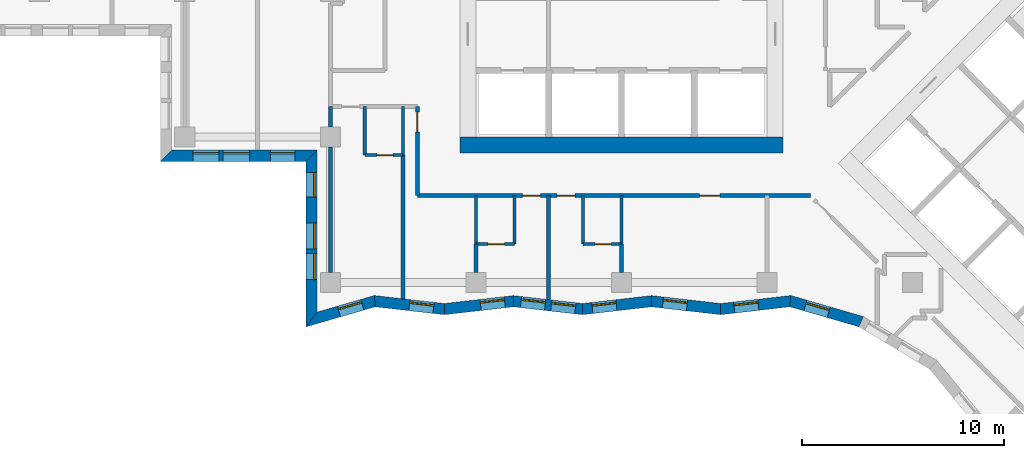
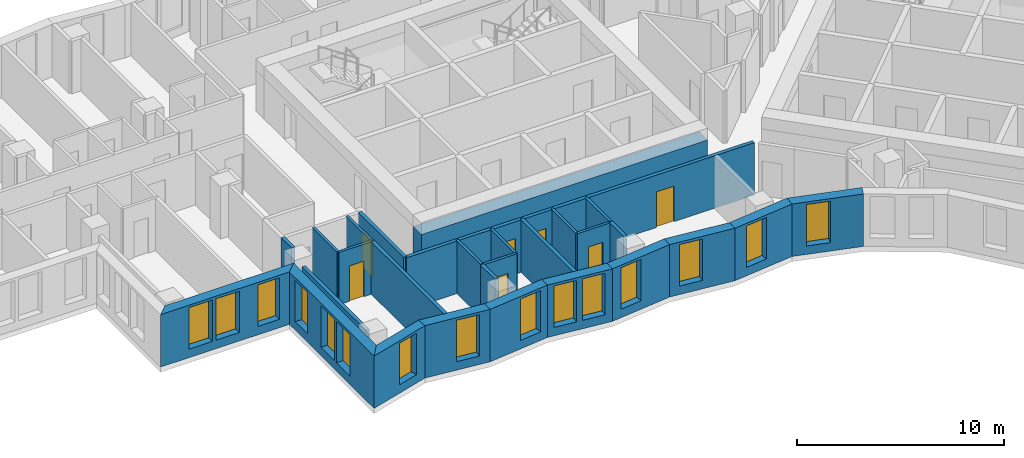
# One storey, part 2 of 13: 28 walls, 15 windows, 7 doors, 22 openings.
"""IFC4 building model written with IfcOpenShell, lengths in metres."""

from ifc_helpers import new_model, si_unit, direction, frame, frame_2d, origin, place, context, subcontext, project, spatial, polyline, rectangle, outline, extrude, material, layer, layer_set, type_object, element, fill, save


model = new_model("IFC4")

# Units and contexts
model_context = context("Model", 3, precision=1e-05, world=origin(), true_north=direction((0.0, 1.0)))
body_context = subcontext(model_context, "Body", "Model", "MODEL_VIEW")
ifc_project = project(units=[si_unit("LENGTHUNIT", "METRE"), si_unit("AREAUNIT", "SQUARE_METRE"), si_unit("VOLUMEUNIT", "CUBIC_METRE"), si_unit("PLANEANGLEUNIT", "RADIAN"), si_unit("MASSUNIT", "GRAM", prefix="KILO")], contexts=[model_context])

# Site, building, storey
site_placement = place(None, origin())
site = spatial("IfcSite", under=ifc_project, at=site_placement, CompositionType="ELEMENT")
building_placement = place(site_placement, origin())
building = spatial("IfcBuilding", under=site, at=building_placement, Name="Windrow Commons", CompositionType="ELEMENT")
storey_placement = place(building_placement, frame((0.0, 0.0, 91.4)))
storey = spatial("IfcBuildingStorey", under=building, at=storey_placement, Name="L24", CompositionType="ELEMENT", Elevation=91.4)

# Wall, openings, windows
ifc_material_1 = material(Name="Brick masonry, red clay brick", Category="masonry")
ifc_layer_1 = layer(ifc_material_1, 0.55)
ifc_layer_set_1 = layer_set([ifc_layer_1], Name="Brick facade wall 550")
wall_type_1 = type_object("IfcWallType", Name="Brick facade wall 550", PredefinedType="SOLIDWALL", material=ifc_layer_set_1)
wall_1_placement = place(storey_placement, frame((42.275, 49.475, 0.0), z_axis=(0.0, 0.0, 1.0), x_axis=(1.0, 0.0, 0.0)))
wall_1 = element("IfcWall", 1, at=wall_1_placement, inside=storey, type_object=wall_type_1, Name="Brick facade wall L24 42", PredefinedType="SOLIDWALL", context=body_context, shape_type="SweptSolid", body=[
    extrude(outline(polyline([(-0.275, -0.275), (6.925, -0.275), (7.475, 0.275), (0.275, 0.275), (-0.275, -0.275)])), origin(), (0.0, 0.0, 1.0), 3.1),
])
opening_1_placement = place(wall_1_placement, frame((1.325, 0.0, 0.5)))
opening_1 = element("IfcOpeningElement", 2, at=opening_1_placement, cuts=wall_1, Name="Opening W1P", PredefinedType="OPENING", context=body_context, shape_type="SweptSolid", body=[
    extrude(rectangle(XDim=1.3, YDim=2.45, at=frame_2d((0.65, 1.225))), frame((0.0, 0.285, 0.0), z_axis=(0.0, -1.0, 0.0), x_axis=(1.0, 0.0, 0.0)), (0.0, 0.0, 1.0), 0.57),
])
opening_2_placement = place(wall_1_placement, frame((2.825, 0.0, 0.5)))
opening_2 = element("IfcOpeningElement", 3, at=opening_2_placement, cuts=wall_1, Name="Opening W1P", PredefinedType="OPENING", context=body_context, shape_type="SweptSolid", body=[
    extrude(rectangle(XDim=1.3, YDim=2.45, at=frame_2d((0.65, 1.225))), frame((0.0, 0.285, 0.0), z_axis=(0.0, -1.0, 0.0), x_axis=(1.0, 0.0, 0.0)), (0.0, 0.0, 1.0), 0.57),
])
opening_3_placement = place(wall_1_placement, frame((5.1625, 0.0, 0.5)))
opening_3 = element("IfcOpeningElement", 4, at=opening_3_placement, cuts=wall_1, Name="Opening W7D", PredefinedType="OPENING", context=body_context, shape_type="SweptSolid", body=[
    extrude(rectangle(XDim=1.2, YDim=2.45, at=frame_2d((0.6, 1.225))), frame((0.0, 0.285, 0.0), z_axis=(0.0, -1.0, 0.0), x_axis=(1.0, 0.0, 0.0)), (0.0, 0.0, 1.0), 0.57),
])
ifc_material_2 = material(Name="Clear float glass in anodised aluminium frame", Category="aluminium")
window_type_1 = type_object("IfcWindowType", Name="Window W1P pair 1300x2450", PartitioningType="SINGLE_PANEL", PredefinedType="WINDOW", material=ifc_material_2)
window_1_placement = place(opening_1_placement, origin())
window_1 = element("IfcWindow", 5, at=window_1_placement, inside=storey, type_object=window_type_1, Name="Window L24 42.1A", OverallHeight=2.45, OverallWidth=1.3, PartitioningType="SINGLE_PANEL", PredefinedType="WINDOW", context=body_context, shape_type="SweptSolid", body=[
    extrude(rectangle(XDim=1.3, YDim=2.45, at=frame_2d((0.65, 1.225))), frame((0.0, 0.155, 0.0), z_axis=(0.0, -1.0, 0.0), x_axis=(1.0, 0.0, 0.0)), (0.0, 0.0, 1.0), 0.06),
])
fill(opening_1, window_1)
window_2_placement = place(opening_2_placement, origin())
window_2 = element("IfcWindow", 6, at=window_2_placement, inside=storey, type_object=window_type_1, Name="Window L24 42.1B", OverallHeight=2.45, OverallWidth=1.3, PartitioningType="SINGLE_PANEL", PredefinedType="WINDOW", context=body_context, shape_type="SweptSolid", body=[
    extrude(rectangle(XDim=1.3, YDim=2.45, at=frame_2d((0.65, 1.225))), frame((0.0, 0.155, 0.0), z_axis=(0.0, -1.0, 0.0), x_axis=(1.0, 0.0, 0.0)), (0.0, 0.0, 1.0), 0.06),
])
fill(opening_2, window_2)
ifc_material_3 = material(Name="Clear float glass in anodised aluminium frame", Category="aluminium")
window_type_2 = type_object("IfcWindowType", Name="Window W7 notch 1200x2450", PartitioningType="SINGLE_PANEL", PredefinedType="WINDOW", material=ifc_material_3)
window_3_placement = place(opening_3_placement, origin())
window_3 = element("IfcWindow", 7, at=window_3_placement, inside=storey, type_object=window_type_2, Name="Window L24 42.2", OverallHeight=2.45, OverallWidth=1.2, PartitioningType="SINGLE_PANEL", PredefinedType="WINDOW", context=body_context, shape_type="SweptSolid", body=[
    extrude(rectangle(XDim=1.2, YDim=2.45, at=frame_2d((0.6, 1.225))), frame((0.0, 0.155, 0.0), z_axis=(0.0, -1.0, 0.0), x_axis=(1.0, 0.0, 0.0)), (0.0, 0.0, 1.0), 0.06),
])
fill(opening_3, window_3)

wall_2_placement = place(storey_placement, frame((49.475, 49.475, 0.0), z_axis=(0.0, 0.0, 1.0), x_axis=(0.0, -1.0, 0.0)))
wall_2 = element("IfcWall", 8, at=wall_2_placement, inside=storey, type_object=wall_type_1, Name="Brick facade wall L24 43", PredefinedType="SOLIDWALL", context=body_context, shape_type="SweptSolid", body=[
    extrude(outline(polyline([(0.275, -0.275), (8.466, -0.275), (7.7339, 0.275), (-0.275, 0.275), (0.275, -0.275)])), origin(), (0.0, 0.0, 1.0), 3.1),
])
opening_4_placement = place(wall_2_placement, frame((3.325, 0.0, 0.5)))
opening_4 = element("IfcOpeningElement", 9, at=opening_4_placement, cuts=wall_2, Name="Opening W1P", PredefinedType="OPENING", context=body_context, shape_type="SweptSolid", body=[
    extrude(rectangle(XDim=1.3, YDim=2.45, at=frame_2d((0.65, 1.225))), frame((0.0, 0.285, 0.0), z_axis=(0.0, -1.0, 0.0), x_axis=(1.0, 0.0, 0.0)), (0.0, 0.0, 1.0), 0.57),
])
opening_5_placement = place(wall_2_placement, frame((4.825, 0.0, 0.5)))
opening_5 = element("IfcOpeningElement", 10, at=opening_5_placement, cuts=wall_2, Name="Opening W1P", PredefinedType="OPENING", context=body_context, shape_type="SweptSolid", body=[
    extrude(rectangle(XDim=1.3, YDim=2.45, at=frame_2d((0.65, 1.225))), frame((0.0, 0.285, 0.0), z_axis=(0.0, -1.0, 0.0), x_axis=(1.0, 0.0, 0.0)), (0.0, 0.0, 1.0), 0.57),
])
opening_6_placement = place(wall_2_placement, frame((0.8375, 0.0, 0.5)))
opening_6 = element("IfcOpeningElement", 11, at=opening_6_placement, cuts=wall_2, Name="Opening W7D", PredefinedType="OPENING", context=body_context, shape_type="SweptSolid", body=[
    extrude(rectangle(XDim=1.2, YDim=2.45, at=frame_2d((0.6, 1.225))), frame((0.0, 0.285, 0.0), z_axis=(0.0, -1.0, 0.0), x_axis=(1.0, 0.0, 0.0)), (0.0, 0.0, 1.0), 0.57),
])
window_4_placement = place(opening_4_placement, origin())
window_4 = element("IfcWindow", 12, at=window_4_placement, inside=storey, type_object=window_type_1, Name="Window L24 43.1A", OverallHeight=2.45, OverallWidth=1.3, PartitioningType="SINGLE_PANEL", PredefinedType="WINDOW", context=body_context, shape_type="SweptSolid", body=[
    extrude(rectangle(XDim=1.3, YDim=2.45, at=frame_2d((0.65, 1.225))), frame((0.0, 0.155, 0.0), z_axis=(0.0, -1.0, 0.0), x_axis=(1.0, 0.0, 0.0)), (0.0, 0.0, 1.0), 0.06),
])
fill(opening_4, window_4)
window_5_placement = place(opening_5_placement, origin())
window_5 = element("IfcWindow", 13, at=window_5_placement, inside=storey, type_object=window_type_1, Name="Window L24 43.1B", OverallHeight=2.45, OverallWidth=1.3, PartitioningType="SINGLE_PANEL", PredefinedType="WINDOW", context=body_context, shape_type="SweptSolid", body=[
    extrude(rectangle(XDim=1.3, YDim=2.45, at=frame_2d((0.65, 1.225))), frame((0.0, 0.155, 0.0), z_axis=(0.0, -1.0, 0.0), x_axis=(1.0, 0.0, 0.0)), (0.0, 0.0, 1.0), 0.06),
])
fill(opening_5, window_5)
window_6_placement = place(opening_6_placement, origin())
window_6 = element("IfcWindow", 14, at=window_6_placement, inside=storey, type_object=window_type_2, Name="Window L24 43.2", OverallHeight=2.45, OverallWidth=1.2, PartitioningType="SINGLE_PANEL", PredefinedType="WINDOW", context=body_context, shape_type="SweptSolid", body=[
    extrude(rectangle(XDim=1.2, YDim=2.45, at=frame_2d((0.6, 1.225))), frame((0.0, 0.155, 0.0), z_axis=(0.0, -1.0, 0.0), x_axis=(1.0, 0.0, 0.0)), (0.0, 0.0, 1.0), 0.06),
])
fill(opening_6, window_6)

# Wall, opening, window
wall_3_placement = place(storey_placement, frame((49.475, 41.3751, 0.0), z_axis=(0.0, 0.0, 1.0), x_axis=(0.9604525251, 0.2784437952, 0.0)))
wall_3 = element("IfcWall", 15, at=wall_3_placement, inside=storey, type_object=wall_type_1, Name="Brick facade wall L24 44", PredefinedType="SOLIDWALL", context=body_context, shape_type="SweptSolid", body=[
    extrude(outline(polyline([(-0.3661, -0.275), (3.1929, -0.275), (3.3033, 0.275), (0.3661, 0.275), (-0.3661, -0.275)])), origin(), (0.0, 0.0, 1.0), 3.1),
])
opening_7_placement = place(wall_3_placement, frame((1.4056, 0.0, 0.5)))
opening_7 = element("IfcOpeningElement", 16, at=opening_7_placement, cuts=wall_3, Name="Opening W7D", PredefinedType="OPENING", context=body_context, shape_type="SweptSolid", body=[
    extrude(rectangle(XDim=1.2, YDim=2.45, at=frame_2d((0.6, 1.225))), frame((0.0, 0.285, 0.0), z_axis=(0.0, -1.0, 0.0), x_axis=(1.0, 0.0, 0.0)), (0.0, 0.0, 1.0), 0.57),
])
window_7_placement = place(opening_7_placement, origin())
window_7 = element("IfcWindow", 17, at=window_7_placement, inside=storey, type_object=window_type_2, Name="Window L24 44.1", OverallHeight=2.45, OverallWidth=1.2, PartitioningType="SINGLE_PANEL", PredefinedType="WINDOW", context=body_context, shape_type="SweptSolid", body=[
    extrude(rectangle(XDim=1.2, YDim=2.45, at=frame_2d((0.6, 1.225))), frame((0.0, 0.155, 0.0), z_axis=(0.0, -1.0, 0.0), x_axis=(1.0, 0.0, 0.0)), (0.0, 0.0, 1.0), 0.06),
])
fill(opening_7, window_7)

wall_4_placement = place(storey_placement, frame((52.5946, 42.2795, 0.0), z_axis=(0.0, 0.0, 1.0), x_axis=(0.9935212234, -0.1136467272, 0.0)))
wall_4 = element("IfcWall", 18, at=wall_4_placement, inside=storey, type_object=wall_type_1, Name="Brick facade wall L24 45", PredefinedType="SOLIDWALL", context=body_context, shape_type="SweptSolid", body=[
    extrude(outline(polyline([(0.0552, -0.275), (3.4957, -0.275), (3.4327, 0.275), (-0.0552, 0.275), (0.0552, -0.275)])), origin(), (0.0, 0.0, 1.0), 3.1),
])
opening_8_placement = place(wall_4_placement, frame((1.7236, 0.0, 0.5)))
opening_8 = element("IfcOpeningElement", 19, at=opening_8_placement, cuts=wall_4, Name="Opening W7D", PredefinedType="OPENING", context=body_context, shape_type="SweptSolid", body=[
    extrude(rectangle(XDim=1.2, YDim=2.45, at=frame_2d((0.6, 1.225))), frame((0.0, 0.285, 0.0), z_axis=(0.0, -1.0, 0.0), x_axis=(1.0, 0.0, 0.0)), (0.0, 0.0, 1.0), 0.57),
])
window_8_placement = place(opening_8_placement, origin())
window_8 = element("IfcWindow", 20, at=window_8_placement, inside=storey, type_object=window_type_2, Name="Window L24 45.1", OverallHeight=2.45, OverallWidth=1.2, PartitioningType="SINGLE_PANEL", PredefinedType="WINDOW", context=body_context, shape_type="SweptSolid", body=[
    extrude(rectangle(XDim=1.2, YDim=2.45, at=frame_2d((0.6, 1.225))), frame((0.0, 0.155, 0.0), z_axis=(0.0, -1.0, 0.0), x_axis=(1.0, 0.0, 0.0)), (0.0, 0.0, 1.0), 0.06),
])
fill(opening_8, window_8)

wall_5_placement = place(storey_placement, frame((56.0364, 41.8858, 0.0), z_axis=(0.0, 0.0, 1.0), x_axis=(0.9935208627, 0.1136498807, 0.0)))
wall_5 = element("IfcWall", 21, at=wall_5_placement, inside=storey, type_object=wall_type_1, Name="Brick facade wall L24 46", PredefinedType="SOLIDWALL", context=body_context, shape_type="SweptSolid", body=[
    extrude(outline(polyline([(-0.0315, -0.275), (3.409, -0.275), (3.4719, 0.275), (0.0315, 0.275), (-0.0315, -0.275)])), origin(), (0.0, 0.0, 1.0), 3.1),
])
opening_9_placement = place(wall_5_placement, frame((1.8072, 0.0, 0.5)))
opening_9 = element("IfcOpeningElement", 22, at=opening_9_placement, cuts=wall_5, Name="Opening W7D", PredefinedType="OPENING", context=body_context, shape_type="SweptSolid", body=[
    extrude(rectangle(XDim=1.2, YDim=2.45, at=frame_2d((0.6, 1.225))), frame((0.0, 0.285, 0.0), z_axis=(0.0, -1.0, 0.0), x_axis=(1.0, 0.0, 0.0)), (0.0, 0.0, 1.0), 0.57),
])
window_9_placement = place(opening_9_placement, origin())
window_9 = element("IfcWindow", 23, at=window_9_placement, inside=storey, type_object=window_type_2, Name="Window L24 46.1", OverallHeight=2.45, OverallWidth=1.2, PartitioningType="SINGLE_PANEL", PredefinedType="WINDOW", context=body_context, shape_type="SweptSolid", body=[
    extrude(rectangle(XDim=1.2, YDim=2.45, at=frame_2d((0.6, 1.225))), frame((0.0, 0.155, 0.0), z_axis=(0.0, -1.0, 0.0), x_axis=(1.0, 0.0, 0.0)), (0.0, 0.0, 1.0), 0.06),
])
fill(opening_9, window_9)

# Wall, openings, windows
wall_6_placement = place(storey_placement, frame((59.4545, 42.2768, 0.0), z_axis=(0.0, 0.0, 1.0), x_axis=(0.9935212381, -0.1136465988, 0.0)))
wall_6 = element("IfcWall", 24, at=wall_6_placement, inside=storey, type_object=wall_type_1, Name="Brick facade wall L24 47", PredefinedType="SOLIDWALL", context=body_context, shape_type="SweptSolid", body=[
    extrude(outline(polyline([(0.0315, -0.275), (3.4719, -0.275), (3.409, 0.275), (-0.0315, 0.275), (0.0315, -0.275)])), origin(), (0.0, 0.0, 1.0), 3.1),
])
opening_10_placement = place(wall_6_placement, frame((0.3784, 0.0, 0.5)))
opening_10 = element("IfcOpeningElement", 25, at=opening_10_placement, cuts=wall_6, Name="Opening W7D", PredefinedType="OPENING", context=body_context, shape_type="SweptSolid", body=[
    extrude(rectangle(XDim=1.2, YDim=2.45, at=frame_2d((0.6, 1.225))), frame((0.0, 0.285, 0.0), z_axis=(0.0, -1.0, 0.0), x_axis=(1.0, 0.0, 0.0)), (0.0, 0.0, 1.0), 0.57),
])
opening_11_placement = place(wall_6_placement, frame((1.8829, 0.0, 0.5)))
opening_11 = element("IfcOpeningElement", 26, at=opening_11_placement, cuts=wall_6, Name="Opening W7D", PredefinedType="OPENING", context=body_context, shape_type="SweptSolid", body=[
    extrude(rectangle(XDim=1.2, YDim=2.45, at=frame_2d((0.6, 1.225))), frame((0.0, 0.285, 0.0), z_axis=(0.0, -1.0, 0.0), x_axis=(1.0, 0.0, 0.0)), (0.0, 0.0, 1.0), 0.57),
])
window_10_placement = place(opening_10_placement, origin())
window_10 = element("IfcWindow", 27, at=window_10_placement, inside=storey, type_object=window_type_2, Name="Window L24 47.1", OverallHeight=2.45, OverallWidth=1.2, PartitioningType="SINGLE_PANEL", PredefinedType="WINDOW", context=body_context, shape_type="SweptSolid", body=[
    extrude(rectangle(XDim=1.2, YDim=2.45, at=frame_2d((0.6, 1.225))), frame((0.0, 0.155, 0.0), z_axis=(0.0, -1.0, 0.0), x_axis=(1.0, 0.0, 0.0)), (0.0, 0.0, 1.0), 0.06),
])
fill(opening_10, window_10)
window_11_placement = place(opening_11_placement, origin())
window_11 = element("IfcWindow", 28, at=window_11_placement, inside=storey, type_object=window_type_2, Name="Window L24 47.2", OverallHeight=2.45, OverallWidth=1.2, PartitioningType="SINGLE_PANEL", PredefinedType="WINDOW", context=body_context, shape_type="SweptSolid", body=[
    extrude(rectangle(XDim=1.2, YDim=2.45, at=frame_2d((0.6, 1.225))), frame((0.0, 0.155, 0.0), z_axis=(0.0, -1.0, 0.0), x_axis=(1.0, 0.0, 0.0)), (0.0, 0.0, 1.0), 0.06),
])
fill(opening_11, window_11)

# Wall, opening, window
wall_7_placement = place(storey_placement, frame((62.8727, 41.8858, 0.0), z_axis=(0.0, 0.0, 1.0), x_axis=(0.9935212381, 0.1136465988, 0.0)))
wall_7 = element("IfcWall", 29, at=wall_7_placement, inside=storey, type_object=wall_type_1, Name="Brick facade wall L24 48", PredefinedType="SOLIDWALL", context=body_context, shape_type="SweptSolid", body=[
    extrude(outline(polyline([(-0.0315, -0.275), (3.409, -0.275), (3.4719, 0.275), (0.0315, 0.275), (-0.0315, -0.275)])), origin(), (0.0, 0.0, 1.0), 3.1),
])
opening_12_placement = place(wall_7_placement, frame((0.4857, 0.0, 0.5)))
opening_12 = element("IfcOpeningElement", 30, at=opening_12_placement, cuts=wall_7, Name="Opening W7D", PredefinedType="OPENING", context=body_context, shape_type="SweptSolid", body=[
    extrude(rectangle(XDim=1.2, YDim=2.45, at=frame_2d((0.6, 1.225))), frame((0.0, 0.285, 0.0), z_axis=(0.0, -1.0, 0.0), x_axis=(1.0, 0.0, 0.0)), (0.0, 0.0, 1.0), 0.57),
])
window_12_placement = place(opening_12_placement, origin())
window_12 = element("IfcWindow", 31, at=window_12_placement, inside=storey, type_object=window_type_2, Name="Window L24 48.1", OverallHeight=2.45, OverallWidth=1.2, PartitioningType="SINGLE_PANEL", PredefinedType="WINDOW", context=body_context, shape_type="SweptSolid", body=[
    extrude(rectangle(XDim=1.2, YDim=2.45, at=frame_2d((0.6, 1.225))), frame((0.0, 0.155, 0.0), z_axis=(0.0, -1.0, 0.0), x_axis=(1.0, 0.0, 0.0)), (0.0, 0.0, 1.0), 0.06),
])
fill(opening_12, window_12)

wall_8_placement = place(storey_placement, frame((66.2909, 42.2768, 0.0), z_axis=(0.0, 0.0, 1.0), x_axis=(0.9935212381, -0.1136465988, 0.0)))
wall_8 = element("IfcWall", 32, at=wall_8_placement, inside=storey, type_object=wall_type_1, Name="Brick facade wall L24 49", PredefinedType="SOLIDWALL", context=body_context, shape_type="SweptSolid", body=[
    extrude(outline(polyline([(0.0315, -0.275), (3.4719, -0.275), (3.409, 0.275), (-0.0315, 0.275), (0.0315, -0.275)])), origin(), (0.0, 0.0, 1.0), 3.1),
])
opening_13_placement = place(wall_8_placement, frame((0.5614, 0.0, 0.5)))
opening_13 = element("IfcOpeningElement", 33, at=opening_13_placement, cuts=wall_8, Name="Opening W7D", PredefinedType="OPENING", context=body_context, shape_type="SweptSolid", body=[
    extrude(rectangle(XDim=1.2, YDim=2.45, at=frame_2d((0.6, 1.225))), frame((0.0, 0.285, 0.0), z_axis=(0.0, -1.0, 0.0), x_axis=(1.0, 0.0, 0.0)), (0.0, 0.0, 1.0), 0.57),
])
window_13_placement = place(opening_13_placement, origin())
window_13 = element("IfcWindow", 34, at=window_13_placement, inside=storey, type_object=window_type_2, Name="Window L24 49.1", OverallHeight=2.45, OverallWidth=1.2, PartitioningType="SINGLE_PANEL", PredefinedType="WINDOW", context=body_context, shape_type="SweptSolid", body=[
    extrude(rectangle(XDim=1.2, YDim=2.45, at=frame_2d((0.6, 1.225))), frame((0.0, 0.155, 0.0), z_axis=(0.0, -1.0, 0.0), x_axis=(1.0, 0.0, 0.0)), (0.0, 0.0, 1.0), 0.06),
])
fill(opening_13, window_13)

wall_9_placement = place(storey_placement, frame((69.7091, 41.8858, 0.0), z_axis=(0.0, 0.0, 1.0), x_axis=(0.9935208506, 0.1136499866, 0.0)))
wall_9 = element("IfcWall", 35, at=wall_9_placement, inside=storey, type_object=wall_type_1, Name="Brick facade wall L24 50", PredefinedType="SOLIDWALL", context=body_context, shape_type="SweptSolid", body=[
    extrude(outline(polyline([(-0.0315, -0.275), (3.409, -0.275), (3.5194, 0.275), (0.0315, 0.275), (-0.0315, -0.275)])), origin(), (0.0, 0.0, 1.0), 3.1),
])
opening_14_placement = place(wall_9_placement, frame((0.6687, 0.0, 0.5)))
opening_14 = element("IfcOpeningElement", 36, at=opening_14_placement, cuts=wall_9, Name="Opening W7D", PredefinedType="OPENING", context=body_context, shape_type="SweptSolid", body=[
    extrude(rectangle(XDim=1.2, YDim=2.45, at=frame_2d((0.6, 1.225))), frame((0.0, 0.285, 0.0), z_axis=(0.0, -1.0, 0.0), x_axis=(1.0, 0.0, 0.0)), (0.0, 0.0, 1.0), 0.57),
])
window_14_placement = place(opening_14_placement, origin())
window_14 = element("IfcWindow", 37, at=window_14_placement, inside=storey, type_object=window_type_2, Name="Window L24 50.1", OverallHeight=2.45, OverallWidth=1.2, PartitioningType="SINGLE_PANEL", PredefinedType="WINDOW", context=body_context, shape_type="SweptSolid", body=[
    extrude(rectangle(XDim=1.2, YDim=2.45, at=frame_2d((0.6, 1.225))), frame((0.0, 0.155, 0.0), z_axis=(0.0, -1.0, 0.0), x_axis=(1.0, 0.0, 0.0)), (0.0, 0.0, 1.0), 0.06),
])
fill(opening_14, window_14)

wall_10_placement = place(storey_placement, frame((73.1508, 42.2795, 0.0), z_axis=(0.0, 0.0, 1.0), x_axis=(0.9604465079, -0.2784645497, 0.0)))
wall_10 = element("IfcWall", 38, at=wall_10_placement, inside=storey, type_object=wall_type_1, Name="Brick facade wall L24 51", PredefinedType="SOLIDWALL", context=body_context, shape_type="SweptSolid", body=[
    extrude(outline(polyline([(0.0552, -0.275), (3.6141, -0.275), (3.6852, 0.275), (-0.0552, 0.275), (0.0552, -0.275)])), origin(), (0.0, 0.0, 1.0), 3.1),
])
opening_15_placement = place(wall_10_placement, frame((0.775, 0.0, 0.5)))
opening_15 = element("IfcOpeningElement", 39, at=opening_15_placement, cuts=wall_10, Name="Opening W7D", PredefinedType="OPENING", context=body_context, shape_type="SweptSolid", body=[
    extrude(rectangle(XDim=1.2, YDim=2.45, at=frame_2d((0.6, 1.225))), frame((0.0, 0.285, 0.0), z_axis=(0.0, -1.0, 0.0), x_axis=(1.0, 0.0, 0.0)), (0.0, 0.0, 1.0), 0.57),
])
window_15_placement = place(opening_15_placement, origin())
window_15 = element("IfcWindow", 40, at=window_15_placement, inside=storey, type_object=window_type_2, Name="Window L24 51.1", OverallHeight=2.45, OverallWidth=1.2, PartitioningType="SINGLE_PANEL", PredefinedType="WINDOW", context=body_context, shape_type="SweptSolid", body=[
    extrude(rectangle(XDim=1.2, YDim=2.45, at=frame_2d((0.6, 1.225))), frame((0.0, 0.155, 0.0), z_axis=(0.0, -1.0, 0.0), x_axis=(1.0, 0.0, 0.0)), (0.0, 0.0, 1.0), 0.06),
])
fill(opening_15, window_15)

# Wall, openings, doors
ifc_material_4 = material(Name="Blockwork partition", Category="masonry")
ifc_layer_2 = layer(ifc_material_4, 0.2)
ifc_layer_set_2 = layer_set([ifc_layer_2], Name="IW-CORRIDOR-200")
wall_type_2 = type_object("IfcWallType", Name="IW-CORRIDOR-200", PredefinedType="PARTITIONING", material=ifc_layer_set_2)
wall_11_placement = place(storey_placement, frame((54.7, 47.5, 0.0), z_axis=(0.0, 0.0, 1.0), x_axis=(1.0, 0.0, 0.0)))
wall_11 = element("IfcWall", 41, at=wall_11_placement, inside=storey, type_object=wall_type_2, Name="W-L24-W002", PredefinedType="PARTITIONING", context=body_context, shape_type="SweptSolid", body=[
    extrude(rectangle(XDim=19.442, YDim=0.2, at=frame_2d((9.721, 0.0))), origin(), (0.0, 0.0, 1.0), 3.1),
])
opening_16_placement = place(wall_11_placement, frame((5.2, 0.0, 0.0)))
opening_16 = element("IfcOpeningElement", 42, at=opening_16_placement, cuts=wall_11, Name="Opening D109S", PredefinedType="OPENING", context=body_context, shape_type="SweptSolid", body=[
    extrude(rectangle(XDim=0.9, YDim=2.1, at=frame_2d((0.45, 1.05))), frame((0.0, 0.11, 0.0), z_axis=(0.0, -1.0, 0.0), x_axis=(1.0, 0.0, 0.0)), (0.0, 0.0, 1.0), 0.22),
])
opening_17_placement = place(wall_11_placement, frame((6.9, 0.0, 0.0)))
opening_17 = element("IfcOpeningElement", 43, at=opening_17_placement, cuts=wall_11, Name="Opening D109S", PredefinedType="OPENING", context=body_context, shape_type="SweptSolid", body=[
    extrude(rectangle(XDim=0.9, YDim=2.1, at=frame_2d((0.45, 1.05))), frame((0.0, 0.11, 0.0), z_axis=(0.0, -1.0, 0.0), x_axis=(1.0, 0.0, 0.0)), (0.0, 0.0, 1.0), 0.22),
])
opening_18_placement = place(wall_11_placement, frame((13.9625, 0.0, 0.0)))
opening_18 = element("IfcOpeningElement", 44, at=opening_18_placement, cuts=wall_11, Name="Opening D310F", PredefinedType="OPENING", context=body_context, shape_type="SweptSolid", body=[
    extrude(rectangle(XDim=1.0, YDim=2.1, at=frame_2d((0.5, 1.05))), frame((0.0, 0.11, 0.0), z_axis=(0.0, -1.0, 0.0), x_axis=(1.0, 0.0, 0.0)), (0.0, 0.0, 1.0), 0.22),
])
ifc_material_5 = material(Name="Timber door leaf", Category="wood")
door_type_1 = type_object("IfcDoorType", Name="DT-AMENITY-1000", OperationType="SINGLE_SWING_LEFT", PredefinedType="DOOR", material=ifc_material_5)
door_1_placement = place(opening_18_placement, origin())
door_1 = element("IfcDoor", 45, at=door_1_placement, inside=storey, type_object=door_type_1, Name="D-L24-D041", OperationType="SINGLE_SWING_LEFT", OverallHeight=2.1, OverallWidth=1.0, PredefinedType="DOOR", context=body_context, shape_type="SweptSolid", body=[
    extrude(rectangle(XDim=1.0, YDim=2.1, at=frame_2d((0.5, 1.05))), frame((0.0, 0.025, 0.0), z_axis=(0.0, -1.0, 0.0), x_axis=(1.0, 0.0, 0.0)), (0.0, 0.0, 1.0), 0.05),
])
fill(opening_18, door_1)
ifc_material_6 = material(Name="Timber door leaf", Category="wood")
door_type_2 = type_object("IfcDoorType", Name="DT-BEDROOM-900", OperationType="SINGLE_SWING_LEFT", PredefinedType="DOOR", material=ifc_material_6)
door_2_placement = place(opening_16_placement, origin())
door_2 = element("IfcDoor", 46, at=door_2_placement, inside=storey, type_object=door_type_2, Name="D-L24-D037", OperationType="SINGLE_SWING_LEFT", OverallHeight=2.1, OverallWidth=0.9, PredefinedType="DOOR", context=body_context, shape_type="SweptSolid", body=[
    extrude(rectangle(XDim=0.9, YDim=2.1, at=frame_2d((0.45, 1.05))), frame((0.0, 0.025, 0.0), z_axis=(0.0, -1.0, 0.0), x_axis=(1.0, 0.0, 0.0)), (0.0, 0.0, 1.0), 0.05),
])
fill(opening_16, door_2)
door_3_placement = place(opening_17_placement, origin())
door_3 = element("IfcDoor", 47, at=door_3_placement, inside=storey, type_object=door_type_2, Name="D-L24-D039", OperationType="SINGLE_SWING_RIGHT", OverallHeight=2.1, OverallWidth=0.9, PredefinedType="DOOR", context=body_context, shape_type="SweptSolid", body=[
    extrude(rectangle(XDim=0.9, YDim=2.1, at=frame_2d((0.45, 1.05))), frame((0.0, 0.025, 0.0), z_axis=(0.0, -1.0, 0.0), x_axis=(1.0, 0.0, 0.0)), (0.0, 0.0, 1.0), 0.05),
])
fill(opening_17, door_3)

# Wall, opening, door
wall_12_placement = place(storey_placement, frame((54.7, 47.5, 0.0), z_axis=(0.0, 0.0, 1.0), x_axis=(0.0, 1.0, 0.0)))
wall_12 = element("IfcWall", 48, at=wall_12_placement, inside=storey, type_object=wall_type_2, Name="W-L24-W046", PredefinedType="PARTITIONING", context=body_context, shape_type="SweptSolid", body=[
    extrude(rectangle(XDim=4.4, YDim=0.2, at=frame_2d((2.2, 0.0))), origin(), (0.0, 0.0, 1.0), 3.1),
])
opening_19_placement = place(wall_12_placement, frame((3.149, 0.0, 0.0)))
opening_19 = element("IfcOpeningElement", 49, at=opening_19_placement, cuts=wall_12, Name="Opening D310F", PredefinedType="OPENING", context=body_context, shape_type="SweptSolid", body=[
    extrude(rectangle(XDim=1.0, YDim=2.1, at=frame_2d((0.5, 1.05))), frame((0.0, 0.11, 0.0), z_axis=(0.0, -1.0, 0.0), x_axis=(1.0, 0.0, 0.0)), (0.0, 0.0, 1.0), 0.22),
])
door_4_placement = place(opening_19_placement, origin())
door_4 = element("IfcDoor", 50, at=door_4_placement, inside=storey, type_object=door_type_1, Name="D-L24-D028", OperationType="SINGLE_SWING_RIGHT", OverallHeight=2.1, OverallWidth=1.0, PredefinedType="DOOR", context=body_context, shape_type="SweptSolid", body=[
    extrude(rectangle(XDim=1.0, YDim=2.1, at=frame_2d((0.5, 1.05))), frame((0.0, 0.025, 0.0), z_axis=(0.0, -1.0, 0.0), x_axis=(1.0, 0.0, 0.0)), (0.0, 0.0, 1.0), 0.05),
])
fill(opening_19, door_4)

# Walls
ifc_material_7 = material(Name="Blockwork partition", Category="masonry")
ifc_layer_3 = layer(ifc_material_7, 0.15)
ifc_layer_set_3 = layer_set([ifc_layer_3], Name="IW-ENSUITE-150")
wall_type_3 = type_object("IfcWallType", Name="IW-ENSUITE-150", PredefinedType="PARTITIONING", material=ifc_layer_set_3)
for number, where, z_axis, x_axis, name in (
    (51, (52.1, 49.5, 0.0), (0.0, 0.0, 1.0), (0.0, 1.0, 0.0), "W-L24-W083"),
    (52, (54.0, 49.5, 0.0), (0.0, 0.0, 1.0), (0.0, 1.0, 0.0), "W-L24-W084"),
    (53, (59.5, 45.1, 0.0), (0.0, 0.0, 1.0), (0.0, 1.0, 0.0), "W-L24-W085"),
    (54, (57.6, 45.1, 0.0), (0.0, 0.0, 1.0), (0.0, 1.0, 0.0), "W-L24-W086"),
    (55, (62.9, 45.1, 0.0), (0.0, 0.0, 1.0), (0.0, 1.0, 0.0), "W-L24-W087"),
    (56, (64.8, 45.1, 0.0), (0.0, 0.0, 1.0), (0.0, 1.0, 0.0), "W-L24-W088"),
):
    element("IfcWall", number, at=place(storey_placement, frame(where, z_axis=z_axis, x_axis=x_axis)), inside=storey, type_object=wall_type_3, Name=name, PredefinedType="PARTITIONING", context=body_context, shape_type="SweptSolid", body=[
        extrude(rectangle(XDim=2.4, YDim=0.15, at=frame_2d((1.2, 0.0))), origin(), (0.0, 0.0, 1.0), 3.1),
    ])

# Wall, opening, door
wall_13_placement = place(storey_placement, frame((52.1, 49.5, 0.0), z_axis=(0.0, 0.0, 1.0), x_axis=(1.0, 0.0, 0.0)))
wall_13 = element("IfcWall", 57, at=wall_13_placement, inside=storey, type_object=wall_type_3, Name="W-L24-W139", PredefinedType="PARTITIONING", context=body_context, shape_type="SweptSolid", body=[
    extrude(rectangle(XDim=1.9, YDim=0.15, at=frame_2d((0.95, 0.0))), origin(), (0.0, 0.0, 1.0), 3.1),
])
opening_20_placement = place(wall_13_placement, frame((0.5979, 0.0, 0.0)))
opening_20 = element("IfcOpeningElement", 58, at=opening_20_placement, cuts=wall_13, Name="Opening D208N", PredefinedType="OPENING", context=body_context, shape_type="SweptSolid", body=[
    extrude(rectangle(XDim=0.8, YDim=2.1, at=frame_2d((0.4, 1.05))), frame((0.0, 0.085, 0.0), z_axis=(0.0, -1.0, 0.0), x_axis=(1.0, 0.0, 0.0)), (0.0, 0.0, 1.0), 0.17),
])
ifc_material_8 = material(Name="Timber door leaf", Category="wood")
door_type_3 = type_object("IfcDoorType", Name="DT-ENSUITE-800", OperationType="SINGLE_SWING_LEFT", PredefinedType="DOOR", material=ifc_material_8)
door_5_placement = place(opening_20_placement, origin())
door_5 = element("IfcDoor", 59, at=door_5_placement, inside=storey, type_object=door_type_3, Name="D-L24-D027", OperationType="SINGLE_SWING_RIGHT", OverallHeight=2.1, OverallWidth=0.8, PredefinedType="DOOR", context=body_context, shape_type="SweptSolid", body=[
    extrude(rectangle(XDim=0.8, YDim=2.1, at=frame_2d((0.4, 1.05))), frame((0.0, 0.025, 0.0), z_axis=(0.0, -1.0, 0.0), x_axis=(1.0, 0.0, 0.0)), (0.0, 0.0, 1.0), 0.05),
])
fill(opening_20, door_5)

wall_14_placement = place(storey_placement, frame((57.6, 45.1, 0.0), z_axis=(0.0, 0.0, 1.0), x_axis=(1.0, 0.0, 0.0)))
wall_14 = element("IfcWall", 60, at=wall_14_placement, inside=storey, type_object=wall_type_3, Name="W-L24-W141", PredefinedType="PARTITIONING", context=body_context, shape_type="SweptSolid", body=[
    extrude(rectangle(XDim=1.9, YDim=0.15, at=frame_2d((0.95, 0.0))), origin(), (0.0, 0.0, 1.0), 3.1),
])
opening_21_placement = place(wall_14_placement, frame((0.6069, 0.0, 0.0)))
opening_21 = element("IfcOpeningElement", 61, at=opening_21_placement, cuts=wall_14, Name="Opening D208N", PredefinedType="OPENING", context=body_context, shape_type="SweptSolid", body=[
    extrude(rectangle(XDim=0.8, YDim=2.1, at=frame_2d((0.4, 1.05))), frame((0.0, 0.085, 0.0), z_axis=(0.0, -1.0, 0.0), x_axis=(1.0, 0.0, 0.0)), (0.0, 0.0, 1.0), 0.17),
])
door_6_placement = place(opening_21_placement, origin())
door_6 = element("IfcDoor", 62, at=door_6_placement, inside=storey, type_object=door_type_3, Name="D-L24-D038", OperationType="SINGLE_SWING_RIGHT", OverallHeight=2.1, OverallWidth=0.8, PredefinedType="DOOR", context=body_context, shape_type="SweptSolid", body=[
    extrude(rectangle(XDim=0.8, YDim=2.1, at=frame_2d((0.4, 1.05))), frame((0.0, 0.025, 0.0), z_axis=(0.0, -1.0, 0.0), x_axis=(1.0, 0.0, 0.0)), (0.0, 0.0, 1.0), 0.05),
])
fill(opening_21, door_6)

wall_15_placement = place(storey_placement, frame((62.9, 45.1, 0.0), z_axis=(0.0, 0.0, 1.0), x_axis=(1.0, 0.0, 0.0)))
wall_15 = element("IfcWall", 63, at=wall_15_placement, inside=storey, type_object=wall_type_3, Name="W-L24-W142", PredefinedType="PARTITIONING", context=body_context, shape_type="SweptSolid", body=[
    extrude(rectangle(XDim=1.9, YDim=0.15, at=frame_2d((0.95, 0.0))), origin(), (0.0, 0.0, 1.0), 3.1),
])
opening_22_placement = place(wall_15_placement, frame((0.5979, 0.0, 0.0)))
opening_22 = element("IfcOpeningElement", 64, at=opening_22_placement, cuts=wall_15, Name="Opening D208N", PredefinedType="OPENING", context=body_context, shape_type="SweptSolid", body=[
    extrude(rectangle(XDim=0.8, YDim=2.1, at=frame_2d((0.4, 1.05))), frame((0.0, 0.085, 0.0), z_axis=(0.0, -1.0, 0.0), x_axis=(1.0, 0.0, 0.0)), (0.0, 0.0, 1.0), 0.17),
])
door_7_placement = place(opening_22_placement, origin())
door_7 = element("IfcDoor", 65, at=door_7_placement, inside=storey, type_object=door_type_3, Name="D-L24-D040", OperationType="SINGLE_SWING_RIGHT", OverallHeight=2.1, OverallWidth=0.8, PredefinedType="DOOR", context=body_context, shape_type="SweptSolid", body=[
    extrude(rectangle(XDim=0.8, YDim=2.1, at=frame_2d((0.4, 1.05))), frame((0.0, 0.025, 0.0), z_axis=(0.0, -1.0, 0.0), x_axis=(1.0, 0.0, 0.0)), (0.0, 0.0, 1.0), 0.05),
])
fill(opening_22, door_7)

# Walls
ifc_material_9 = material(Name="Blockwork partition", Category="masonry")
ifc_layer_4 = layer(ifc_material_9, 0.2)
ifc_layer_set_4 = layer_set([ifc_layer_4], Name="IW-PARTY-200")
wall_type_4 = type_object("IfcWallType", Name="IW-PARTY-200", PredefinedType="PARTITIONING", material=ifc_layer_set_4)
wall_16_placement = place(storey_placement, frame((54.0, 42.3955, 0.0), z_axis=(0.0, 0.0, 1.0), x_axis=(0.0, 1.0, 0.0)))
element("IfcWall", 66, at=wall_16_placement, inside=storey, type_object=wall_type_4, Name="W-L24-W021", PredefinedType="PARTITIONING", context=body_context, shape_type="SweptSolid", body=[
    extrude(rectangle(XDim=7.1045, YDim=0.2, at=frame_2d((3.5522, 0.0))), origin(), (0.0, 0.0, 1.0), 3.1),
])
wall_17_placement = place(storey_placement, frame((50.4, 43.7, 0.0), z_axis=(0.0, 0.0, 1.0), x_axis=(0.0, 1.0, 0.0)))
element("IfcWall", 67, at=wall_17_placement, inside=storey, type_object=wall_type_4, Name="W-L24-W029", PredefinedType="PARTITIONING", context=body_context, shape_type="SweptSolid", body=[
    extrude(rectangle(XDim=6.2, YDim=0.2, at=frame_2d((3.1, 0.0))), origin(), (0.0, 0.0, 1.0), 2.6),
])
wall_18_placement = place(storey_placement, frame((61.2, 42.3539, 0.0), z_axis=(0.0, 0.0, 1.0), x_axis=(0.0, 1.0, 0.0)))
element("IfcWall", 68, at=wall_18_placement, inside=storey, type_object=wall_type_4, Name="W-L24-W042", PredefinedType="PARTITIONING", context=body_context, shape_type="SweptSolid", body=[
    extrude(rectangle(XDim=5.1461, YDim=0.2, at=frame_2d((2.573, 0.0))), origin(), (0.0, 0.0, 1.0), 3.1),
])
for number, where, z_axis, x_axis, name in (
    (69, (57.6, 43.7, 0.0), (0.0, 0.0, 1.0), (0.0, 1.0, 0.0), "W-L24-W169"),
    (70, (64.8, 43.7, 0.0), (0.0, 0.0, 1.0), (0.0, 1.0, 0.0), "W-L24-W170"),
):
    element("IfcWall", number, at=place(storey_placement, frame(where, z_axis=z_axis, x_axis=x_axis)), inside=storey, type_object=wall_type_4, Name=name, PredefinedType="PARTITIONING", context=body_context, shape_type="SweptSolid", body=[
        extrude(rectangle(XDim=1.4, YDim=0.2, at=frame_2d((0.7, 0.0))), origin(), (0.0, 0.0, 1.0), 3.1),
    ])
wall_19_placement = place(storey_placement, frame((50.4, 50.9, 0.0), z_axis=(0.0, 0.0, 1.0), x_axis=(0.0, 1.0, 0.0)))
element("IfcWall", 71, at=wall_19_placement, inside=storey, type_object=wall_type_4, Name="W-L24-W182", PredefinedType="PARTITIONING", context=body_context, shape_type="SweptSolid", body=[
    extrude(rectangle(XDim=1.0, YDim=0.2, at=frame_2d((0.5, 0.0))), origin(), (0.0, 0.0, 1.0), 3.1),
])
ifc_material_10 = material(Name="Concrete C50/60", Category="concrete")
ifc_layer_5 = layer(ifc_material_10, 0.8)
ifc_layer_set_5 = layer_set([ifc_layer_5], Name="RC CORE WALL 800 C50/60")
wall_type_5 = type_object("IfcWallType", Name="RC CORE WALL 800 C50/60", PredefinedType="SHEAR", material=ifc_layer_set_5)
wall_20_placement = place(storey_placement, frame((56.8, 50.0, -0.3), z_axis=(0.0, 0.0, 1.0), x_axis=(1.0, 0.0, 0.0)))
element("IfcWall", 72, at=wall_20_placement, inside=storey, type_object=wall_type_5, Name="Core A wall outer-S", PredefinedType="SHEAR", context=body_context, shape_type="SweptSolid", body=[
    extrude(rectangle(XDim=16.0, YDim=0.8, at=frame_2d((8.0, 0.0))), origin(), (0.0, 0.0, 1.0), 2.7),
])

save(model, "model.ifc")
